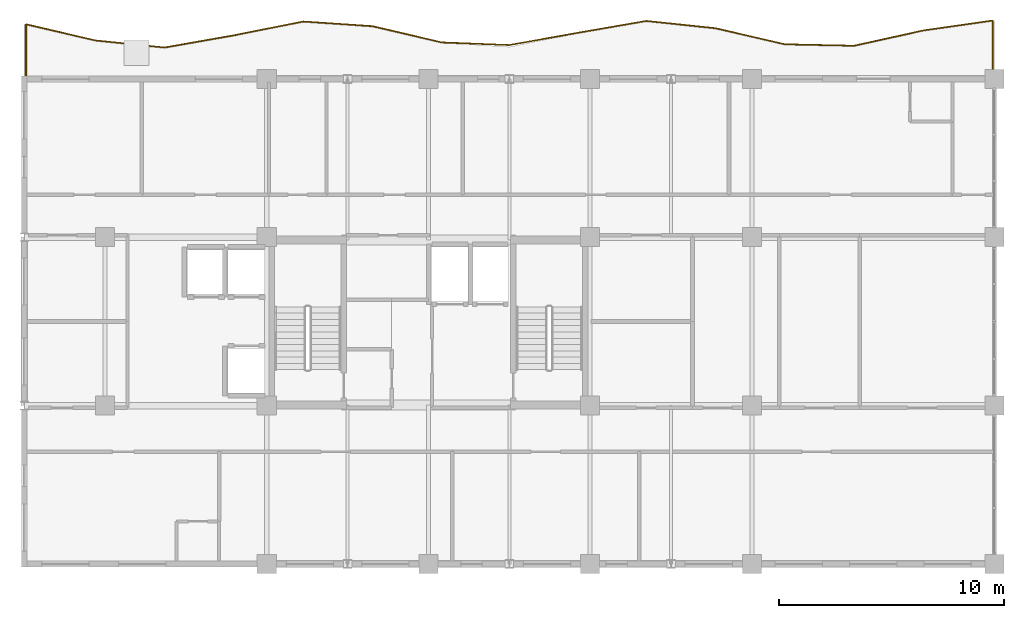
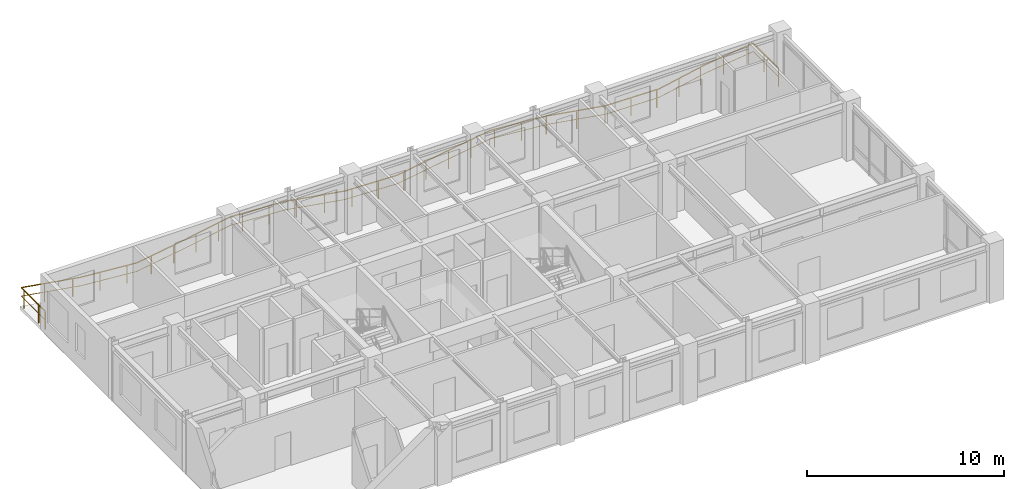
# One storey, part 11 of 11: 1 railing.
"""IFC4 building model written with IfcOpenShell, lengths in metres."""

from ifc_helpers import new_model, si_unit, direction, frame, origin, origin_2d, place, context, subcontext, project, spatial, rectangle, extrude, material, type_object, element, save


model = new_model("IFC4")

# Units and contexts
model_context = context("Model", 3, precision=1e-05, world=origin(), true_north=direction((0.0, 1.0)))
body_context = subcontext(model_context, "Body", "Model", "MODEL_VIEW")
ifc_project = project(units=[si_unit("LENGTHUNIT", "METRE"), si_unit("AREAUNIT", "SQUARE_METRE"), si_unit("VOLUMEUNIT", "CUBIC_METRE"), si_unit("PLANEANGLEUNIT", "RADIAN"), si_unit("MASSUNIT", "GRAM", prefix="KILO")], contexts=[model_context])

# Site, building, storey
site_placement = place(None, origin())
site = spatial("IfcSite", under=ifc_project, at=site_placement, CompositionType="ELEMENT")
building_placement = place(site_placement, origin())
building = spatial("IfcBuilding", under=site, at=building_placement, Name="Kaliganga Portal Commons", CompositionType="ELEMENT")
storey_placement = place(building_placement, frame((0.0, 0.0, 261.0)))
storey = spatial("IfcBuildingStorey", under=building, at=storey_placement, Name="L67", CompositionType="ELEMENT", Elevation=261.0)

# Railing
ifc_material = material(Name="Laminated Safety Glass and Stainless Steel 316", Category="steel")
railing_type = type_object("IfcRailingType", Name="RLG-BAL-1150", PredefinedType="BALUSTRADE", material=ifc_material)
railing_placement = place(storey_placement, frame((46.72021484375, 43.20654296875, 0.0)))
element("IfcRailing", 1, at=railing_placement, inside=storey, type_object=railing_type, Name="Balcony Guardrail L67 balc_north", PredefinedType="BALUSTRADE", context=body_context, shape_type="SweptSolid", body=[
    extrude(rectangle(XDim=0.048095703125, YDim=0.048095703125, at=origin_2d()), frame((0.0, 0.0, 1.1259765625), z_axis=(0.0, 1.0, 0.0), x_axis=(-1.0, 0.0, 0.0)), (0.0, 0.0, 1.0), 2.59033203125),
    extrude(rectangle(XDim=0.028076171875, YDim=0.028076171875, at=origin_2d()), frame((0.0, 0.0, 0.597900390625), z_axis=(0.0, 1.0, 0.0), x_axis=(-1.0, 0.0, 0.0)), (0.0, 0.0, 1.0), 2.59033203125),
    extrude(rectangle(XDim=0.048095703125, YDim=0.048095703125, at=origin_2d()), frame((0.0, 2.59033203125, 1.1259765625), z_axis=(-0.989979233773, -0.141213018868, 0.0), x_axis=(0.141213018868, -0.989979233773, 0.0)), (0.0, 0.0, 1.0), 3.1171875),
    extrude(rectangle(XDim=0.028076171875, YDim=0.028076171875, at=origin_2d()), frame((0.0, 2.59033203125, 0.597900390625), z_axis=(-0.989979233773, -0.141213018868, 0.0), x_axis=(0.141213018868, -0.989979233773, 0.0)), (0.0, 0.0, 1.0), 3.1171875),
    extrude(rectangle(XDim=0.048095703125, YDim=0.048095703125, at=origin_2d()), frame((-3.0859375, 2.150146484375, 1.1259765625), z_axis=(-0.976475232847, -0.215629588961, 0.0), x_axis=(0.215629588961, -0.976475232847, 0.0)), (0.0, 0.0, 1.0), 3.159912109375),
    extrude(rectangle(XDim=0.028076171875, YDim=0.028076171875, at=origin_2d()), frame((-3.0859375, 2.150146484375, 0.597900390625), z_axis=(-0.976475232847, -0.215629588961, 0.0), x_axis=(0.215629588961, -0.976475232847, 0.0)), (0.0, 0.0, 1.0), 3.159912109375),
    extrude(rectangle(XDim=0.048095703125, YDim=0.048095703125, at=origin_2d()), frame((-6.171630859375, 1.46875, 1.1259765625), z_axis=(-0.999771900942, 0.021357576806, 0.0), x_axis=(-0.021357576806, -0.999771900942, 0.0)), (0.0, 0.0, 1.0), 3.08642578125),
    extrude(rectangle(XDim=0.028076171875, YDim=0.028076171875, at=origin_2d()), frame((-6.171630859375, 1.46875, 0.597900390625), z_axis=(-0.999771900942, 0.021357576806, 0.0), x_axis=(-0.021357576806, -0.999771900942, 0.0)), (0.0, 0.0, 1.0), 3.08642578125),
    extrude(rectangle(XDim=0.048095703125, YDim=0.048095703125, at=origin_2d()), frame((-9.25732421875, 1.53466796875, 1.1259765625), z_axis=(-0.974216823664, 0.225613786127, 0.0), x_axis=(-0.225613786127, -0.974216823664, 0.0)), (0.0, 0.0, 1.0), 3.167236328125),
    extrude(rectangle(XDim=0.028076171875, YDim=0.028076171875, at=origin_2d()), frame((-9.25732421875, 1.53466796875, 0.597900390625), z_axis=(-0.974216823664, 0.225613786127, 0.0), x_axis=(-0.225613786127, -0.974216823664, 0.0)), (0.0, 0.0, 1.0), 3.167236328125),
    extrude(rectangle(XDim=0.048095703125, YDim=0.048095703125, at=origin_2d()), frame((-12.343017578125, 2.249267578125, 1.1259765625), z_axis=(-0.994531726725, 0.104434881805, 0.0), x_axis=(-0.104434881805, -0.994531726725, 0.0)), (0.0, 0.0, 1.0), 3.10205078125),
    extrude(rectangle(XDim=0.028076171875, YDim=0.028076171875, at=origin_2d()), frame((-12.343017578125, 2.249267578125, 0.597900390625), z_axis=(-0.994531726725, 0.104434881805, 0.0), x_axis=(-0.104434881805, -0.994531726725, 0.0)), (0.0, 0.0, 1.0), 3.10205078125),
    extrude(rectangle(XDim=0.048095703125, YDim=0.048095703125, at=origin_2d()), frame((-15.42822265625, 2.5732421875, 1.1259765625), z_axis=(-0.985254630733, -0.171094455258, 0.0), x_axis=(0.171094455258, -0.985254630733, 0.0)), (0.0, 0.0, 1.0), 3.132080078125),
    extrude(rectangle(XDim=0.028076171875, YDim=0.028076171875, at=origin_2d()), frame((-15.42822265625, 2.5732421875, 0.597900390625), z_axis=(-0.985254630733, -0.171094455258, 0.0), x_axis=(0.171094455258, -0.985254630733, 0.0)), (0.0, 0.0, 1.0), 3.132080078125),
    extrude(rectangle(XDim=0.048095703125, YDim=0.048095703125, at=origin_2d()), frame((-18.51416015625, 2.037353515625, 1.1259765625), z_axis=(-0.984299351649, -0.176507184962, 0.0), x_axis=(0.176507184962, -0.984299351649, 0.0)), (0.0, 0.0, 1.0), 3.053955078125),
    extrude(rectangle(XDim=0.028076171875, YDim=0.028076171875, at=origin_2d()), frame((-18.51416015625, 2.037353515625, 0.597900390625), z_axis=(-0.984299351649, -0.176507184962, 0.0), x_axis=(0.176507184962, -0.984299351649, 0.0)), (0.0, 0.0, 1.0), 3.053955078125),
    extrude(rectangle(XDim=0.048095703125, YDim=0.048095703125, at=origin_2d()), frame((-21.520263671875, 1.498291015625, 1.1259765625), z_axis=(-0.999218621498, 0.03952399843, 0.0), x_axis=(-0.03952399843, -0.999218621498, 0.0)), (0.0, 0.0, 1.0), 3.00830078125),
    extrude(rectangle(XDim=0.028076171875, YDim=0.028076171875, at=origin_2d()), frame((-21.520263671875, 1.498291015625, 0.597900390625), z_axis=(-0.999218621498, 0.03952399843, 0.0), x_axis=(-0.03952399843, -0.999218621498, 0.0)), (0.0, 0.0, 1.0), 3.00830078125),
    extrude(rectangle(XDim=0.048095703125, YDim=0.048095703125, at=origin_2d()), frame((-24.526123046875, 1.6171875, 1.1259765625), z_axis=(-0.973693269985, 0.227862713023, 0.0), x_axis=(-0.227862713023, -0.973693269985, 0.0)), (0.0, 0.0, 1.0), 3.16943359375),
    extrude(rectangle(XDim=0.028076171875, YDim=0.028076171875, at=origin_2d()), frame((-24.526123046875, 1.6171875, 0.597900390625), z_axis=(-0.973693269985, 0.227862713023, 0.0), x_axis=(-0.227862713023, -0.973693269985, 0.0)), (0.0, 0.0, 1.0), 3.16943359375),
    extrude(rectangle(XDim=0.048095703125, YDim=0.048095703125, at=origin_2d()), frame((-27.612060546875, 2.33935546875, 1.1259765625), z_axis=(-0.997724667728, 0.06742022996, 0.0), x_axis=(-0.06742022996, -0.997724667728, 0.0)), (0.0, 0.0, 1.0), 3.092529296875),
    extrude(rectangle(XDim=0.028076171875, YDim=0.028076171875, at=origin_2d()), frame((-27.612060546875, 2.33935546875, 0.597900390625), z_axis=(-0.997724667728, 0.06742022996, 0.0), x_axis=(-0.06742022996, -0.997724667728, 0.0)), (0.0, 0.0, 1.0), 3.092529296875),
    extrude(rectangle(XDim=0.048095703125, YDim=0.048095703125, at=origin_2d()), frame((-30.697509765625, 2.5478515625, 1.1259765625), z_axis=(-0.980800918657, -0.19501168673, 0.0), x_axis=(0.19501168673, -0.980800918657, 0.0)), (0.0, 0.0, 1.0), 3.14599609375),
    extrude(rectangle(XDim=0.028076171875, YDim=0.028076171875, at=origin_2d()), frame((-30.697509765625, 2.5478515625, 0.597900390625), z_axis=(-0.980800918657, -0.19501168673, 0.0), x_axis=(0.19501168673, -0.980800918657, 0.0)), (0.0, 0.0, 1.0), 3.14599609375),
    extrude(rectangle(XDim=0.048095703125, YDim=0.048095703125, at=origin_2d()), frame((-33.783203125, 1.934326171875, 1.1259765625), z_axis=(-0.984749027368, -0.173980898656, 0.0), x_axis=(0.173980898656, -0.984749027368, 0.0)), (0.0, 0.0, 1.0), 3.133544921875),
    extrude(rectangle(XDim=0.028076171875, YDim=0.028076171875, at=origin_2d()), frame((-33.783203125, 1.934326171875, 0.597900390625), z_axis=(-0.984749027368, -0.173980898656, 0.0), x_axis=(0.173980898656, -0.984749027368, 0.0)), (0.0, 0.0, 1.0), 3.133544921875),
    extrude(rectangle(XDim=0.048095703125, YDim=0.048095703125, at=origin_2d()), frame((-36.868896484375, 1.38916015625, 1.1259765625), z_axis=(-0.994775906675, 0.10208278748, 0.0), x_axis=(-0.10208278748, -0.994775906675, 0.0)), (0.0, 0.0, 1.0), 3.101806640625),
    extrude(rectangle(XDim=0.028076171875, YDim=0.028076171875, at=origin_2d()), frame((-36.868896484375, 1.38916015625, 0.597900390625), z_axis=(-0.994775906675, 0.10208278748, 0.0), x_axis=(-0.10208278748, -0.994775906675, 0.0)), (0.0, 0.0, 1.0), 3.101806640625),
    extrude(rectangle(XDim=0.048095703125, YDim=0.048095703125, at=origin_2d()), frame((-39.95458984375, 1.705810546875, 1.1259765625), z_axis=(-0.973842914734, 0.227222308375, 0.0), x_axis=(-0.227222308375, -0.973842914734, 0.0)), (0.0, 0.0, 1.0), 3.16845703125),
    extrude(rectangle(XDim=0.028076171875, YDim=0.028076171875, at=origin_2d()), frame((-39.95458984375, 1.705810546875, 0.597900390625), z_axis=(-0.973842914734, 0.227222308375, 0.0), x_axis=(-0.227222308375, -0.973842914734, 0.0)), (0.0, 0.0, 1.0), 3.16845703125),
    extrude(rectangle(XDim=0.048095703125, YDim=0.048095703125, at=origin_2d()), frame((-43.040283203125, 2.42578125, 1.1259765625), z_axis=(-0.000100644122, -0.999999994935, 0.0), x_axis=(0.999999994935, -0.000100644122, 0.0)), (0.0, 0.0, 1.0), 2.42578125),
    extrude(rectangle(XDim=0.028076171875, YDim=0.028076171875, at=origin_2d()), frame((-43.040283203125, 2.42578125, 0.597900390625), z_axis=(-0.000100644122, -0.999999994935, 0.0), x_axis=(0.999999994935, -0.000100644122, 0.0)), (0.0, 0.0, 1.0), 2.42578125),
    extrude(rectangle(XDim=0.0419921875, YDim=0.0419921875, at=origin_2d()), origin(), (0.0, 0.0, 1.0), 1.101806640625),
    extrude(rectangle(XDim=0.0419921875, YDim=0.0419921875, at=origin_2d()), frame((0.0, 1.5, 0.0)), (0.0, 0.0, 1.0), 1.101806640625),
    extrude(rectangle(XDim=0.0419921875, YDim=0.0419921875, at=origin_2d()), frame((-0.405517578125, 2.532470703125, 0.0)), (0.0, 0.0, 1.0), 1.101806640625),
    extrude(rectangle(XDim=0.0419921875, YDim=0.0419921875, at=origin_2d()), frame((-1.890625, 2.320556640625, 0.0)), (0.0, 0.0, 1.0), 1.101806640625),
    extrude(rectangle(XDim=0.0419921875, YDim=0.0419921875, at=origin_2d()), frame((-3.37158203125, 2.087158203125, 0.0)), (0.0, 0.0, 1.0), 1.101806640625),
    extrude(rectangle(XDim=0.0419921875, YDim=0.0419921875, at=origin_2d()), frame((-4.836181640625, 1.763671875, 0.0)), (0.0, 0.0, 1.0), 1.101806640625),
    extrude(rectangle(XDim=0.0419921875, YDim=0.0419921875, at=origin_2d()), frame((-6.303955078125, 1.4716796875, 0.0)), (0.0, 0.0, 1.0), 1.101806640625),
    extrude(rectangle(XDim=0.0419921875, YDim=0.0419921875, at=origin_2d()), frame((-7.8037109375, 1.503662109375, 0.0)), (0.0, 0.0, 1.0), 1.101806640625),
    extrude(rectangle(XDim=0.0419921875, YDim=0.0419921875, at=origin_2d()), frame((-9.30224609375, 1.545166015625, 0.0)), (0.0, 0.0, 1.0), 1.101806640625),
    extrude(rectangle(XDim=0.0419921875, YDim=0.0419921875, at=origin_2d()), frame((-10.763427734375, 1.883544921875, 0.0)), (0.0, 0.0, 1.0), 1.101806640625),
    extrude(rectangle(XDim=0.0419921875, YDim=0.0419921875, at=origin_2d()), frame((-12.343017578125, 2.249267578125, 0.0)), (0.0, 0.0, 1.0), 1.101806640625),
    extrude(rectangle(XDim=0.0419921875, YDim=0.0419921875, at=origin_2d()), frame((-13.714111328125, 2.393310546875, 0.0)), (0.0, 0.0, 1.0), 1.101806640625),
    extrude(rectangle(XDim=0.0419921875, YDim=0.0419921875, at=origin_2d()), frame((-15.2060546875, 2.5498046875, 0.0)), (0.0, 0.0, 1.0), 1.101806640625),
    extrude(rectangle(XDim=0.0419921875, YDim=0.0419921875, at=origin_2d()), frame((-16.68603515625, 2.354736328125, 0.0)), (0.0, 0.0, 1.0), 1.101806640625),
    extrude(rectangle(XDim=0.0419921875, YDim=0.0419921875, at=origin_2d()), frame((-18.163818359375, 2.09814453125, 0.0)), (0.0, 0.0, 1.0), 1.101806640625),
    extrude(rectangle(XDim=0.0419921875, YDim=0.0419921875, at=origin_2d()), frame((-19.640625, 1.83544921875, 0.0)), (0.0, 0.0, 1.0), 1.101806640625),
    extrude(rectangle(XDim=0.0419921875, YDim=0.0419921875, at=origin_2d()), frame((-21.116943359375, 1.570556640625, 0.0)), (0.0, 0.0, 1.0), 1.101806640625),
    extrude(rectangle(XDim=0.0419921875, YDim=0.0419921875, at=origin_2d()), frame((-22.60986328125, 1.54150390625, 0.0)), (0.0, 0.0, 1.0), 1.101806640625),
    extrude(rectangle(XDim=0.0419921875, YDim=0.0419921875, at=origin_2d()), frame((-24.108642578125, 1.6005859375, 0.0)), (0.0, 0.0, 1.0), 1.101806640625),
    extrude(rectangle(XDim=0.0419921875, YDim=0.0419921875, at=origin_2d()), frame((-25.579833984375, 1.86376953125, 0.0)), (0.0, 0.0, 1.0), 1.101806640625),
    extrude(rectangle(XDim=0.0419921875, YDim=0.0419921875, at=origin_2d()), frame((-27.040283203125, 2.20556640625, 0.0)), (0.0, 0.0, 1.0), 1.101806640625),
    extrude(rectangle(XDim=0.0419921875, YDim=0.0419921875, at=origin_2d()), frame((-28.522705078125, 2.40087890625, 0.0)), (0.0, 0.0, 1.0), 1.101806640625),
    extrude(rectangle(XDim=0.0419921875, YDim=0.0419921875, at=origin_2d()), frame((-30.01953125, 2.501953125, 0.0)), (0.0, 0.0, 1.0), 1.101806640625),
    extrude(rectangle(XDim=0.0419921875, YDim=0.0419921875, at=origin_2d()), frame((-31.502197265625, 2.387939453125, 0.0)), (0.0, 0.0, 1.0), 1.101806640625),
    extrude(rectangle(XDim=0.0419921875, YDim=0.0419921875, at=origin_2d()), frame((-32.973388671875, 2.095458984375, 0.0)), (0.0, 0.0, 1.0), 1.101806640625),
    extrude(rectangle(XDim=0.0419921875, YDim=0.0419921875, at=origin_2d()), frame((-34.447265625, 1.817138671875, 0.0)), (0.0, 0.0, 1.0), 1.101806640625),
    extrude(rectangle(XDim=0.0419921875, YDim=0.0419921875, at=origin_2d()), frame((-35.92431640625, 1.55615234375, 0.0)), (0.0, 0.0, 1.0), 1.101806640625),
    extrude(rectangle(XDim=0.0419921875, YDim=0.0419921875, at=origin_2d()), frame((-37.40673828125, 1.4443359375, 0.0)), (0.0, 0.0, 1.0), 1.101806640625),
    extrude(rectangle(XDim=0.0419921875, YDim=0.0419921875, at=origin_2d()), frame((-38.89892578125, 1.597412109375, 0.0)), (0.0, 0.0, 1.0), 1.101806640625),
    extrude(rectangle(XDim=0.0419921875, YDim=0.0419921875, at=origin_2d()), frame((-40.382080078125, 1.805419921875, 0.0)), (0.0, 0.0, 1.0), 1.101806640625),
    extrude(rectangle(XDim=0.0419921875, YDim=0.0419921875, at=origin_2d()), frame((-41.8427734375, 2.146484375, 0.0)), (0.0, 0.0, 1.0), 1.101806640625),
    extrude(rectangle(XDim=0.0419921875, YDim=0.0419921875, at=origin_2d()), frame((-43.040283203125, 2.155517578125, 0.0)), (0.0, 0.0, 1.0), 1.101806640625),
    extrude(rectangle(XDim=0.0419921875, YDim=0.0419921875, at=origin_2d()), frame((-43.04052734375, 0.655517578125, 0.0)), (0.0, 0.0, 1.0), 1.101806640625),
    extrude(rectangle(XDim=0.0419921875, YDim=0.0419921875, at=origin_2d()), frame((-43.04052734375, 0.0, 0.0)), (0.0, 0.0, 1.0), 1.101806640625),
])

save(model, "model.ifc")
